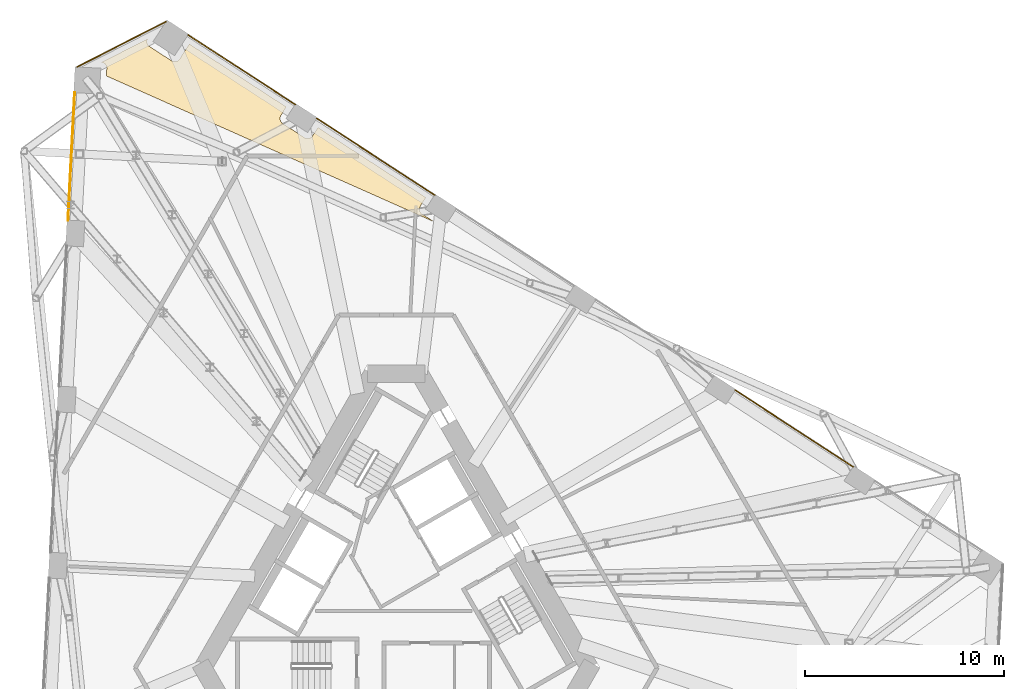
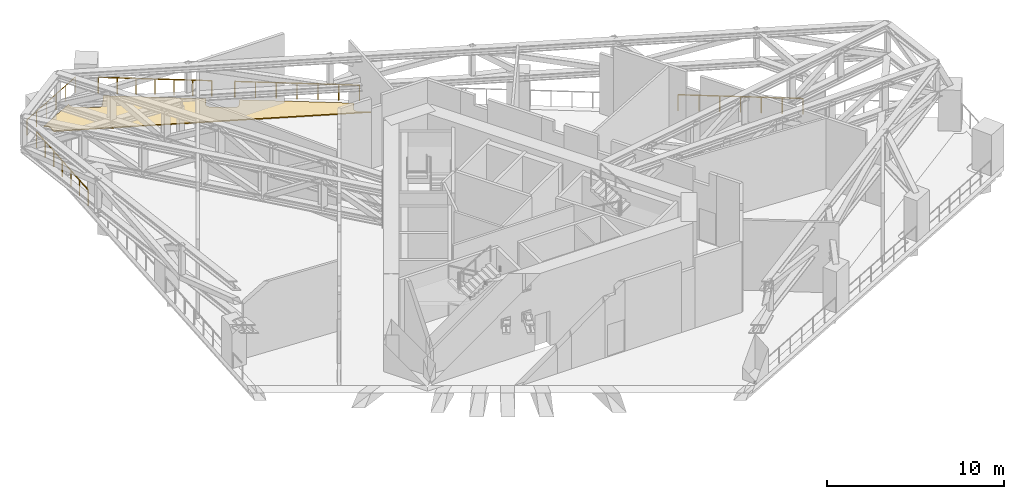
# One storey, part 26 of 26: 5 railings, 2 coverings.
"""IFC4 building model written with IfcOpenShell, lengths in metres."""

from ifc_helpers import new_model, si_unit, direction, frame, origin, origin_2d, place, context, subcontext, project, spatial, polyline, circle, outline, extrude, material, layer, layer_set, type_object, element, save


model = new_model("IFC4")

# Units and contexts
model_context = context("Model", 3, precision=1e-05, world=origin(), true_north=direction((0.0, 1.0)))
body_context = subcontext(model_context, "Body", "Model", "MODEL_VIEW")
ifc_project = project(units=[si_unit("LENGTHUNIT", "METRE"), si_unit("AREAUNIT", "SQUARE_METRE"), si_unit("VOLUMEUNIT", "CUBIC_METRE"), si_unit("PLANEANGLEUNIT", "RADIAN"), si_unit("MASSUNIT", "GRAM", prefix="KILO")], contexts=[model_context])

# Site, building, storey
site_placement = place(None, origin())
site = spatial("IfcSite", under=ifc_project, at=site_placement, CompositionType="ELEMENT")
building_placement = place(site_placement, origin())
building = spatial("IfcBuilding", under=site, at=building_placement, Name="Tramontana Tower", CompositionType="ELEMENT")
storey_placement = place(building_placement, frame((0.0, 0.0, 157.60009765625)))
storey = spatial("IfcBuildingStorey", under=building, at=storey_placement, Name="L36", CompositionType="ELEMENT", Elevation=157.60009765625)

# Railings
ifc_material_1 = material(Name="Stainless steel rail and posts", Category="steel")
railing_type = type_object("IfcRailingType", Name="GD2 Terrace guard 1100", PredefinedType="GUARDRAIL", material=ifc_material_1)
railing_1_placement = place(storey_placement, frame((-16.1796875, 24.6953125, 0.0)))
element("IfcRailing", 1, at=railing_1_placement, inside=storey, type_object=railing_type, Name="Edge guard L36 7", PredefinedType="GUARDRAIL", context=body_context, shape_type="SweptSolid", body=[
    extrude(circle(Radius=0.02392578125, at=origin_2d()), frame((0.0, 0.0, 1.076171875), z_axis=(-0.052351306257, -0.998628730176, 0.0), x_axis=(0.998628730176, -0.052351306257, 0.0)), (0.0, 0.0, 1.0), 6.421630859375),
    extrude(circle(Radius=0.02099609375, at=origin_2d()), origin(), (0.0, 0.0, 1.0), 1.052001953125),
    extrude(circle(Radius=0.02099609375, at=origin_2d()), frame((-0.05615234375, -1.06884765625, 0.0)), (0.0, 0.0, 1.0), 1.052001953125),
    extrude(circle(Radius=0.02099609375, at=origin_2d()), frame((-0.112060546875, -2.1376953125, 0.0)), (0.0, 0.0, 1.0), 1.052001953125),
    extrude(circle(Radius=0.02099609375, at=origin_2d()), frame((-0.16796875, -3.20654296875, 0.0)), (0.0, 0.0, 1.0), 1.052001953125),
    extrude(circle(Radius=0.02099609375, at=origin_2d()), frame((-0.22412109375, -4.275146484375, 0.0)), (0.0, 0.0, 1.0), 1.052001953125),
    extrude(circle(Radius=0.02099609375, at=origin_2d()), frame((-0.2802734375, -5.343994140625, 0.0)), (0.0, 0.0, 1.0), 1.052001953125),
    extrude(circle(Radius=0.02099609375, at=origin_2d()), frame((-0.336181640625, -6.412841796875, 0.0)), (0.0, 0.0, 1.0), 1.052001953125),
])
railing_2_placement = place(storey_placement, frame((-11.586181640625, 28.271240234375, 0.0)))
element("IfcRailing", 2, at=railing_2_placement, inside=storey, type_object=railing_type, Name="Edge guard L36 8", PredefinedType="GUARDRAIL", context=body_context, shape_type="SweptSolid", body=[
    extrude(circle(Radius=0.02392578125, at=origin_2d()), frame((0.0, 0.0, 1.076171875), z_axis=(-0.891018724279, -0.453966554918, 0.0), x_axis=(0.453966554918, -0.891018724279, 0.0)), (0.0, 0.0, 1.0), 5.02294921875),
    extrude(circle(Radius=0.02099609375, at=origin_2d()), origin(), (0.0, 0.0, 1.0), 1.052001953125),
    extrude(circle(Radius=0.02099609375, at=origin_2d()), frame((-0.89501953125, -0.4560546875, 0.0)), (0.0, 0.0, 1.0), 1.052001953125),
    extrude(circle(Radius=0.02099609375, at=origin_2d()), frame((-1.790283203125, -0.912109375, 0.0)), (0.0, 0.0, 1.0), 1.052001953125),
    extrude(circle(Radius=0.02099609375, at=origin_2d()), frame((-2.685302734375, -1.3681640625, 0.0)), (0.0, 0.0, 1.0), 1.052001953125),
    extrude(circle(Radius=0.02099609375, at=origin_2d()), frame((-3.58056640625, -1.82421875, 0.0)), (0.0, 0.0, 1.0), 1.052001953125),
    extrude(circle(Radius=0.02099609375, at=origin_2d()), frame((-4.4755859375, -2.2802734375, 0.0)), (0.0, 0.0, 1.0), 1.052001953125),
])
railing_3_placement = place(storey_placement, frame((-5.083251953125, 24.10791015625, 0.0)))
element("IfcRailing", 3, at=railing_3_placement, inside=storey, type_object=railing_type, Name="Edge guard L36 10", PredefinedType="GUARDRAIL", context=body_context, shape_type="SweptSolid", body=[
    extrude(circle(Radius=0.02392578125, at=origin_2d()), frame((0.0, 0.0, 1.076171875), z_axis=(-0.838675466927, 0.544631491171, 0.0), x_axis=(-0.544631491171, -0.838675466927, 0.0)), (0.0, 0.0, 1.0), 6.42138671875),
    extrude(circle(Radius=0.02099609375, at=origin_2d()), origin(), (0.0, 0.0, 1.0), 1.052001953125),
    extrude(circle(Radius=0.02099609375, at=origin_2d()), frame((-0.8974609375, 0.5830078125, 0.0)), (0.0, 0.0, 1.0), 1.052001953125),
    extrude(circle(Radius=0.02099609375, at=origin_2d()), frame((-1.795166015625, 1.165771484375, 0.0)), (0.0, 0.0, 1.0), 1.052001953125),
    extrude(circle(Radius=0.02099609375, at=origin_2d()), frame((-2.69287109375, 1.74853515625, 0.0)), (0.0, 0.0, 1.0), 1.052001953125),
    extrude(circle(Radius=0.02099609375, at=origin_2d()), frame((-3.59033203125, 2.33154296875, 0.0)), (0.0, 0.0, 1.0), 1.052001953125),
    extrude(circle(Radius=0.02099609375, at=origin_2d()), frame((-4.48779296875, 2.91455078125, 0.0)), (0.0, 0.0, 1.0), 1.052001953125),
    extrude(circle(Radius=0.02099609375, at=origin_2d()), frame((-5.385498046875, 3.497314453125, 0.0)), (0.0, 0.0, 1.0), 1.052001953125),
])
for number, where, name in (
    (4, (1.937744140625, 19.54833984375, 0.0), "Edge guard L36 12"),
    (5, (23.000732421875, 5.869873046875, 0.0), "Edge guard L36 18"),
):
    element("IfcRailing", number, at=place(storey_placement, frame(where)), inside=storey, type_object=railing_type, Name=name, PredefinedType="GUARDRAIL", context=body_context, shape_type="SweptSolid", body=[
        extrude(circle(Radius=0.02392578125, at=origin_2d()), frame((0.0, 0.0, 1.076171875), z_axis=(-0.838677021821, 0.54462909679, 0.0), x_axis=(-0.54462909679, -0.838677021821, 0.0)), (0.0, 0.0, 1.0), 7.071533203125),
        extrude(circle(Radius=0.02099609375, at=origin_2d()), origin(), (0.0, 0.0, 1.0), 1.052001953125),
        extrude(circle(Radius=0.02099609375, at=origin_2d()), frame((-0.988525390625, 0.641845703125, 0.0)), (0.0, 0.0, 1.0), 1.052001953125),
        extrude(circle(Radius=0.02099609375, at=origin_2d()), frame((-1.976806640625, 1.28369140625, 0.0)), (0.0, 0.0, 1.0), 1.052001953125),
        extrude(circle(Radius=0.02099609375, at=origin_2d()), frame((-2.96533203125, 1.92578125, 0.0)), (0.0, 0.0, 1.0), 1.052001953125),
        extrude(circle(Radius=0.02099609375, at=origin_2d()), frame((-3.953857421875, 2.567626953125, 0.0)), (0.0, 0.0, 1.0), 1.052001953125),
        extrude(circle(Radius=0.02099609375, at=origin_2d()), frame((-4.942138671875, 3.20947265625, 0.0)), (0.0, 0.0, 1.0), 1.052001953125),
        extrude(circle(Radius=0.02099609375, at=origin_2d()), frame((-5.9306640625, 3.851318359375, 0.0)), (0.0, 0.0, 1.0), 1.052001953125),
    ])

# Coverings
ifc_material_2 = material(Name="Limestone paving 60", Category="masonry")
ifc_layer_1 = layer(ifc_material_2, 0.06005859375)
ifc_layer_set_1 = layer_set([ifc_layer_1], Name="PV1 Terrace paving 60")
covering_type_1 = type_object("IfcCoveringType", Name="PV1 Terrace paving 60", PredefinedType="FLOORING", material=ifc_layer_set_1)
covering_1_placement = place(storey_placement, frame((0.0, 0.0, 0.010009765625)))
element("IfcCovering", 6, at=covering_1_placement, inside=storey, type_object=covering_type_1, Name="Terrace paving L36 1", PredefinedType="FLOORING", context=body_context, shape_type="SweptSolid", body=[
    extrude(outline(polyline([(-12.50048828125, 27.41259765625), (-12.50634765625, 27.40283203125), (-12.5185546875, 27.3759765625), (-12.528076171875, 27.34814453125), (-12.534912109375, 27.319580078125), (-12.538818359375, 27.29052734375), (-12.539794921875, 27.260986328125), (-12.5380859375, 27.231689453125), (-12.533203125, 27.20263671875), (-12.525634765625, 27.174072265625), (-12.515380859375, 27.146484375), (-12.50244140625, 27.1201171875), (-12.487060546875, 27.094970703125), (-12.46923828125, 27.071533203125), (-12.44921875, 27.050048828125), (-12.427001953125, 27.030517578125), (-12.4033203125, 27.013427734375), (-11.31298828125, 26.30517578125), (-11.28759765625, 26.29052734375), (-11.2607421875, 26.2783203125), (-11.23291015625, 26.268798828125), (-11.204345703125, 26.261962890625), (-11.175048828125, 26.258056640625), (-11.145751953125, 26.2568359375), (-11.1162109375, 26.2587890625), (-11.087158203125, 26.263427734375), (-11.058837890625, 26.27099609375), (-11.03125, 26.28125), (-11.004638671875, 26.294189453125), (-10.979736328125, 26.3095703125), (-10.956298828125, 26.327392578125), (-10.9345703125, 26.34765625), (-10.915283203125, 26.36962890625), (-10.89794921875, 26.3935546875), (-10.40771484375, 27.148193359375), (-5.525390625, 23.9775390625), (-5.797607421875, 23.558349609375), (-5.8125, 23.532958984375), (-5.82470703125, 23.506103515625), (-5.834228515625, 23.478271484375), (-5.841064453125, 23.44970703125), (-5.844970703125, 23.42041015625), (-5.84619140625, 23.39111328125), (-5.84423828125, 23.361572265625), (-5.839599609375, 23.33251953125), (-5.83203125, 23.30419921875), (-5.82177734375, 23.276611328125), (-5.808837890625, 23.25), (-5.79345703125, 23.22509765625), (-5.775634765625, 23.20166015625), (-5.75537109375, 23.179931640625), (-5.7333984375, 23.16064453125), (-5.70947265625, 23.143310546875), (-4.619140625, 22.435302734375), (-4.59375, 22.42041015625), (-4.567138671875, 22.408203125), (-4.5390625, 22.398681640625), (-4.510498046875, 22.391845703125), (-4.4814453125, 22.387939453125), (-4.451904296875, 22.386962890625), (-4.422607421875, 22.388671875), (-4.3935546875, 22.3935546875), (-4.364990234375, 22.40087890625), (-4.33740234375, 22.411376953125), (-4.31103515625, 22.424072265625), (-4.285888671875, 22.439697265625), (-4.262451171875, 22.45751953125), (-4.240966796875, 22.4775390625), (-4.221435546875, 22.49951171875), (-4.204345703125, 22.5234375), (-3.931884765625, 22.94287109375), (1.49560546875, 19.418212890625), (1.223388671875, 18.998779296875), (1.20849609375, 18.973388671875), (1.1962890625, 18.946533203125), (1.186767578125, 18.918701171875), (1.179931640625, 18.89013671875), (1.176025390625, 18.86083984375), (1.1748046875, 18.83154296875), (1.1767578125, 18.80224609375), (1.181396484375, 18.77294921875), (1.18896484375, 18.74462890625), (1.19921875, 18.717041015625), (1.212158203125, 18.690673828125), (1.2275390625, 18.66552734375), (1.245361328125, 18.64208984375), (1.265625, 18.62060546875), (1.28759765625, 18.60107421875), (1.3115234375, 18.583740234375), (1.904541015625, 18.19873046875), (-14.583251953125, 25.53955078125), (-14.563720703125, 25.912353515625), (-14.563720703125, 25.94189453125), (-14.56640625, 25.97119140625), (-14.572265625, 26.0), (-14.58056640625, 26.0283203125), (-14.591796875, 26.055419921875), (-14.60546875, 26.08154296875), (-14.621826171875, 26.106201171875), (-14.640380859375, 26.12890625), (-14.6611328125, 26.14990234375), (-14.683837890625, 26.16845703125), (-14.708251953125, 26.18505859375), (-14.734130859375, 26.198974609375), (-14.761474609375, 26.210205078125), (-14.78955078125, 26.218994140625), (-14.818359375, 26.224853515625), (-14.82958984375, 26.225830078125), (-12.50048828125, 27.41259765625)])), origin(), (0.0, 0.0, 1.0), 0.059814453125),
])
ifc_material_3 = material(Name="Bituminous waterproofing membrane")
ifc_layer_2 = layer(ifc_material_3, 0.010009765625)
ifc_layer_set_2 = layer_set([ifc_layer_2], Name="WP1 Terrace waterproofing membrane 10")
covering_type_2 = type_object("IfcCoveringType", Name="WP1 Terrace waterproofing membrane 10", PredefinedType="MEMBRANE", material=ifc_layer_set_2)
covering_2_placement = place(storey_placement, origin())
element("IfcCovering", 7, at=covering_2_placement, inside=storey, type_object=covering_type_2, Name="Terrace membrane L36 1", PredefinedType="MEMBRANE", context=body_context, shape_type="SweptSolid", body=[
    extrude(outline(polyline([(-12.50048828125, 27.41259765625), (-12.50634765625, 27.40283203125), (-12.5185546875, 27.3759765625), (-12.528076171875, 27.34814453125), (-12.534912109375, 27.319580078125), (-12.538818359375, 27.29052734375), (-12.539794921875, 27.260986328125), (-12.5380859375, 27.231689453125), (-12.533203125, 27.20263671875), (-12.525634765625, 27.174072265625), (-12.515380859375, 27.146484375), (-12.50244140625, 27.1201171875), (-12.487060546875, 27.094970703125), (-12.46923828125, 27.071533203125), (-12.44921875, 27.050048828125), (-12.427001953125, 27.030517578125), (-12.4033203125, 27.013427734375), (-11.31298828125, 26.30517578125), (-11.28759765625, 26.29052734375), (-11.2607421875, 26.2783203125), (-11.23291015625, 26.268798828125), (-11.204345703125, 26.261962890625), (-11.175048828125, 26.258056640625), (-11.145751953125, 26.2568359375), (-11.1162109375, 26.2587890625), (-11.087158203125, 26.263427734375), (-11.058837890625, 26.27099609375), (-11.03125, 26.28125), (-11.004638671875, 26.294189453125), (-10.979736328125, 26.3095703125), (-10.956298828125, 26.327392578125), (-10.9345703125, 26.34765625), (-10.915283203125, 26.36962890625), (-10.89794921875, 26.3935546875), (-10.40771484375, 27.148193359375), (-5.525390625, 23.9775390625), (-5.797607421875, 23.558349609375), (-5.8125, 23.532958984375), (-5.82470703125, 23.506103515625), (-5.834228515625, 23.478271484375), (-5.841064453125, 23.44970703125), (-5.844970703125, 23.42041015625), (-5.84619140625, 23.39111328125), (-5.84423828125, 23.361572265625), (-5.839599609375, 23.33251953125), (-5.83203125, 23.30419921875), (-5.82177734375, 23.276611328125), (-5.808837890625, 23.25), (-5.79345703125, 23.22509765625), (-5.775634765625, 23.20166015625), (-5.75537109375, 23.179931640625), (-5.7333984375, 23.16064453125), (-5.70947265625, 23.143310546875), (-4.619140625, 22.435302734375), (-4.59375, 22.42041015625), (-4.567138671875, 22.408203125), (-4.5390625, 22.398681640625), (-4.510498046875, 22.391845703125), (-4.4814453125, 22.387939453125), (-4.451904296875, 22.386962890625), (-4.422607421875, 22.388671875), (-4.3935546875, 22.3935546875), (-4.364990234375, 22.40087890625), (-4.33740234375, 22.411376953125), (-4.31103515625, 22.424072265625), (-4.285888671875, 22.439697265625), (-4.262451171875, 22.45751953125), (-4.240966796875, 22.4775390625), (-4.221435546875, 22.49951171875), (-4.204345703125, 22.5234375), (-3.931884765625, 22.94287109375), (1.49560546875, 19.418212890625), (1.223388671875, 18.998779296875), (1.20849609375, 18.973388671875), (1.1962890625, 18.946533203125), (1.186767578125, 18.918701171875), (1.179931640625, 18.89013671875), (1.176025390625, 18.86083984375), (1.1748046875, 18.83154296875), (1.1767578125, 18.80224609375), (1.181396484375, 18.77294921875), (1.18896484375, 18.74462890625), (1.19921875, 18.717041015625), (1.212158203125, 18.690673828125), (1.2275390625, 18.66552734375), (1.245361328125, 18.64208984375), (1.265625, 18.62060546875), (1.28759765625, 18.60107421875), (1.3115234375, 18.583740234375), (1.904541015625, 18.19873046875), (-14.583251953125, 25.53955078125), (-14.563720703125, 25.912353515625), (-14.563720703125, 25.94189453125), (-14.56640625, 25.97119140625), (-14.572265625, 26.0), (-14.58056640625, 26.0283203125), (-14.591796875, 26.055419921875), (-14.60546875, 26.08154296875), (-14.621826171875, 26.106201171875), (-14.640380859375, 26.12890625), (-14.6611328125, 26.14990234375), (-14.683837890625, 26.16845703125), (-14.708251953125, 26.18505859375), (-14.734130859375, 26.198974609375), (-14.761474609375, 26.210205078125), (-14.78955078125, 26.218994140625), (-14.818359375, 26.224853515625), (-14.82958984375, 26.225830078125), (-12.50048828125, 27.41259765625)])), origin(), (0.0, 0.0, 1.0), 0.010009765625),
])

save(model, "model.ifc")
